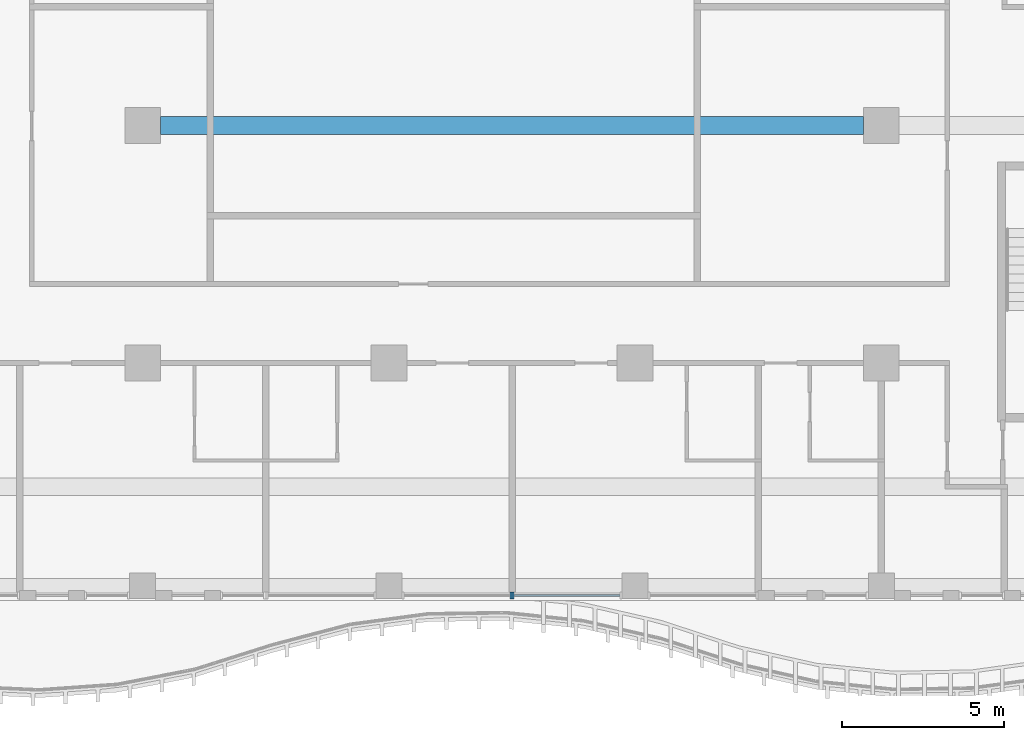
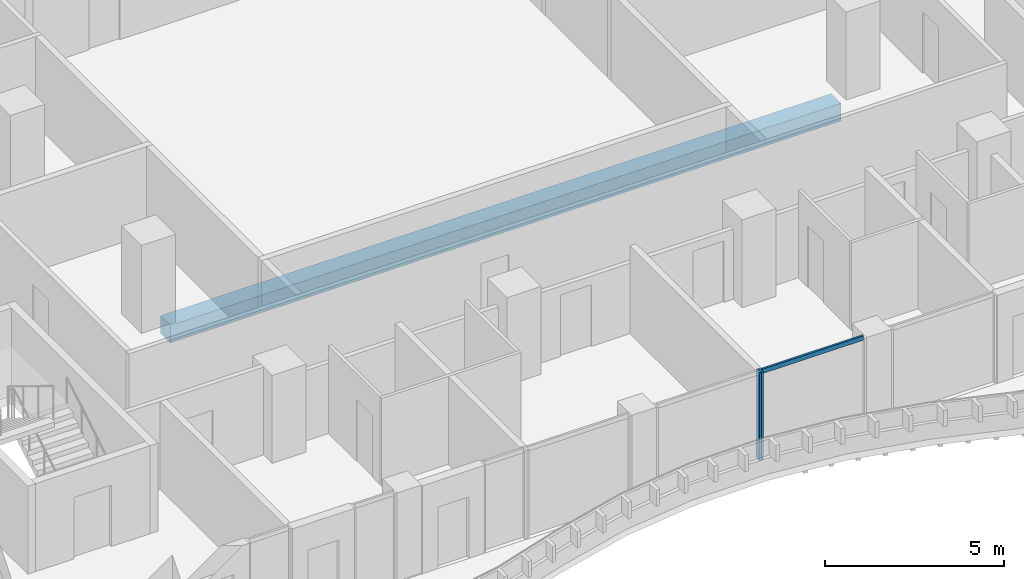
# One storey, part 4 of 23: 3 members, 1 beam, 2 elements without a shape of their own.
"""IFC4 building model written with IfcOpenShell, lengths in metres."""

from ifc_helpers import new_model, si_unit, direction, frame, origin, origin_2d, place, context, subcontext, project, spatial, rectangle, extrude, source, transform, mapped, material, material_profile, profile_set, type_object, element, aggregate, save


model = new_model("IFC4")

# Units and contexts
model_context = context("Model", 3, precision=1e-05, world=origin(), true_north=direction((0.0, 1.0)))
body_context = subcontext(model_context, "Body", "Model", "MODEL_VIEW")
ifc_project = project(units=[si_unit("LENGTHUNIT", "METRE"), si_unit("AREAUNIT", "SQUARE_METRE"), si_unit("VOLUMEUNIT", "CUBIC_METRE"), si_unit("PLANEANGLEUNIT", "RADIAN"), si_unit("MASSUNIT", "GRAM", prefix="KILO")], contexts=[model_context])

# Site, building, storey
site_placement = place(None, origin())
site = spatial("IfcSite", under=ifc_project, at=site_placement, CompositionType="ELEMENT")
building_placement = place(site_placement, origin())
building = spatial("IfcBuilding", under=site, at=building_placement, Name="Kilnfold Tower and Market Hall", CompositionType="ELEMENT")
storey_placement = place(building_placement, frame((0.0, 0.0, 160.89990234375)))
storey = spatial("IfcBuildingStorey", under=building, at=storey_placement, Name="L37", CompositionType="ELEMENT", Elevation=160.89990234375)

# Beam
ifc_material_1 = material(Name="Concrete C45", Category="concrete")
ifc_material_profile_1 = material_profile(ifc_material_1, rectangle(XDim=0.550048828125, YDim=0.60009765625, at=origin_2d()), Name="RC 550x600")
ifc_profile_set_1 = profile_set([ifc_material_profile_1], Name="Concrete C45")
beam_type = type_object("IfcBeamType", Name="BEAM 550X600 C45", PredefinedType="BEAM", material=ifc_profile_set_1)
shared_shape_1 = source(origin(), body_context, "Body", "SweptSolid", [
    extrude(rectangle(XDim=0.550048828125, YDim=0.60009765625, at=origin_2d()), origin(), (0.0, 0.0, 1.0), 21.64990234375),
])
beam_placement = place(storey_placement, frame((-8.033203125, -6.6201171875, -0.579833984375), z_axis=(1.0, 0.0, 0.0), x_axis=(0.0, 1.0, 0.0)))
element("IfcBeam", 1, at=beam_placement, inside=storey, type_object=beam_type, Name="Beam BB600-B4.105", PredefinedType="BEAM", context=body_context, shape_type="MappedRepresentation", body=[
    mapped(shared_shape_1, transform((0.0, 0.0, 0.0))),
])

# Curtain wall, member
ifc_material_2 = material(Name="Aluminium and double glazing", Category="aluminium")
curtain_wall_type = type_object("IfcCurtainWallType", Name="CW GARDEN HOTEL WINTER GARDEN", PredefinedType="NOTDEFINED", material=ifc_material_2)
curtain_wall_1_placement = place(storey_placement, origin())
curtain_wall_1 = element("IfcCurtainWall", 2, at=curtain_wall_1_placement, inside=storey, type_object=curtain_wall_type, Name="Curtain wall CW5 L37 S", PredefinedType="NOTDEFINED")
ifc_material_3 = material(Name="Aluminium", Category="aluminium")
ifc_material_profile_2 = material_profile(ifc_material_3, rectangle(XDim=0.06494140625, YDim=0.2099609375, at=origin_2d()), Name="MULLION 65x210")
ifc_profile_set_2 = profile_set([ifc_material_profile_2], Name="Aluminium")
member_type_1 = type_object("IfcMemberType", Name="MULLION 65X210", PredefinedType="MULLION", material=ifc_profile_set_2)
shared_shape_2 = source(origin(), body_context, "Body", "SweptSolid", [
    extrude(rectangle(XDim=0.06494140625, YDim=0.2099609375, at=origin_2d()), origin(), (0.0, 0.0, 1.0), 3.0),
])
member_1_placement = place(storey_placement, frame((2.759033203125, -21.10009765625, 0.0), z_axis=(0.0, 0.0, 1.0), x_axis=(1.0, 0.0, 0.0)))
member_1 = element("IfcMember", 3, at=member_1_placement, type_object=member_type_1, Name="CW5 mullion 2", PredefinedType="MULLION", context=body_context, shape_type="MappedRepresentation", body=[
    mapped(shared_shape_2, transform((0.0, 0.0, 0.0))),
])
aggregate(curtain_wall_1, [member_1])

# Curtain wall, members
curtain_wall_2_placement = place(storey_placement, origin())
curtain_wall_2 = element("IfcCurtainWall", 4, at=curtain_wall_2_placement, inside=storey, type_object=curtain_wall_type, Name="Curtain wall CW5 L37 S", PredefinedType="NOTDEFINED")
member_2_placement = place(storey_placement, frame((2.82421875, -21.10009765625, 0.0), z_axis=(0.0, 0.0, 1.0), x_axis=(1.0, 0.0, 0.0)))
member_2 = element("IfcMember", 5, at=member_2_placement, type_object=member_type_1, Name="CW5 mullion 1", PredefinedType="MULLION", context=body_context, shape_type="MappedRepresentation", body=[
    mapped(shared_shape_2, transform((0.0, 0.0, 0.0))),
])
ifc_material_4 = material(Name="Aluminium", Category="aluminium")
ifc_material_profile_3 = material_profile(ifc_material_4, rectangle(XDim=0.06494140625, YDim=0.14990234375, at=origin_2d()), Name="TRANSOM 65x150")
ifc_profile_set_3 = profile_set([ifc_material_profile_3], Name="Aluminium")
member_type_2 = type_object("IfcMemberType", Name="TRANSOM 65X150", PredefinedType="USERDEFINED", material=ifc_profile_set_3)
shared_shape_3 = source(origin(), body_context, "Body", "SweptSolid", [
    extrude(rectangle(XDim=0.06494140625, YDim=0.14990234375, at=origin_2d()), origin(), (0.0, 0.0, 1.0), 3.26171875),
])
member_3_placement = place(storey_placement, frame((2.856689453125, -21.10009765625, 2.967529296875), z_axis=(1.0, 0.0, 0.0), x_axis=(0.0, 1.0, 0.0)))
member_3 = element("IfcMember", 6, at=member_3_placement, type_object=member_type_2, Name="CW5 transom 1.2", ObjectType="TRANSOM", PredefinedType="USERDEFINED", context=body_context, shape_type="MappedRepresentation", body=[
    mapped(shared_shape_3, transform((0.0, 0.0, 0.0))),
])
aggregate(curtain_wall_2, [member_2, member_3])

save(model, "model.ifc")
